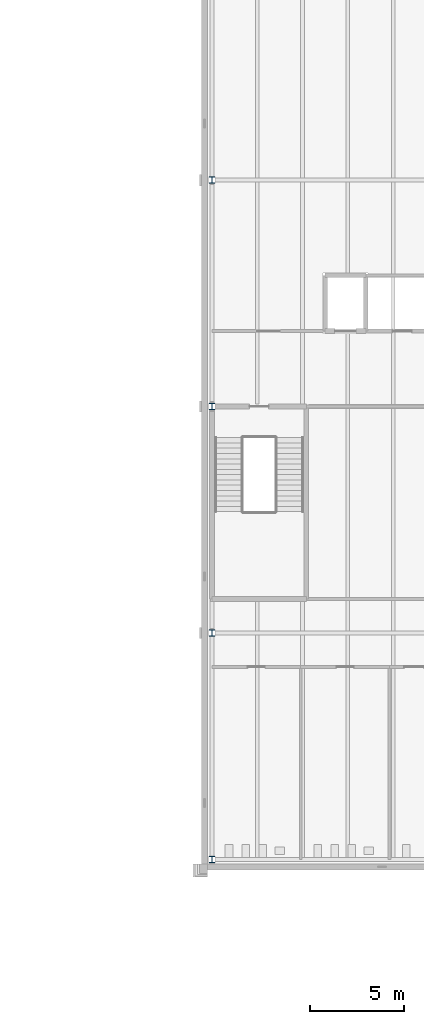
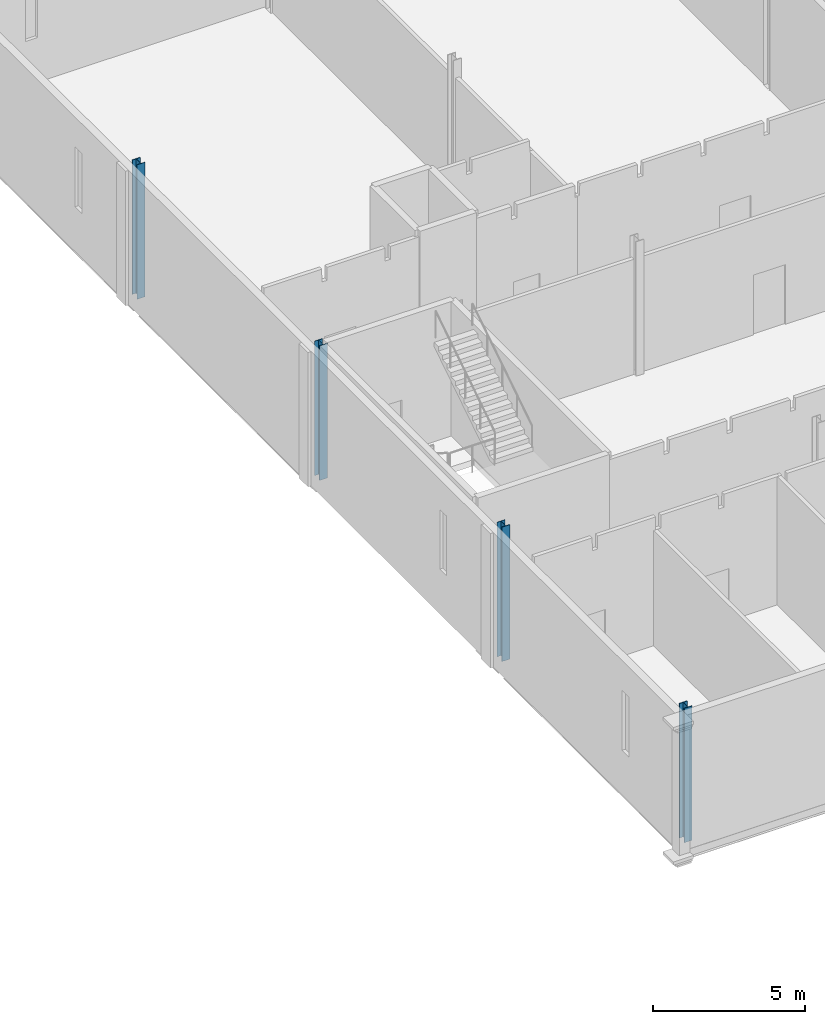
# One storey, part 8 of 170: 4 columns.
"""IFC4 building model written with IfcOpenShell, lengths in metres."""

from ifc_helpers import new_model, si_unit, direction, frame, origin, origin_2d, place, context, subcontext, project, spatial, i_section, extrude, material, material_profile, profile_set, type_object, element, save


model = new_model("IFC4")

# Units and contexts
model_context = context("Model", 3, precision=1e-05, world=origin(), true_north=direction((0.0, 1.0)))
body_context = subcontext(model_context, "Body", "Model", "MODEL_VIEW")
ifc_project = project(units=[si_unit("LENGTHUNIT", "METRE"), si_unit("AREAUNIT", "SQUARE_METRE"), si_unit("VOLUMEUNIT", "CUBIC_METRE"), si_unit("PLANEANGLEUNIT", "RADIAN"), si_unit("MASSUNIT", "GRAM", prefix="KILO")], contexts=[model_context])

# Site, building, storey
site_placement = place(None, origin())
site = spatial("IfcSite", under=ifc_project, at=site_placement, CompositionType="ELEMENT")
building_placement = place(site_placement, origin())
building = spatial("IfcBuilding", under=site, at=building_placement, Name="Ravi Spectrum Wholesale Market", CompositionType="ELEMENT")
storey_placement = place(building_placement, frame((0.0, 0.0, 5.39990234375)))
storey = spatial("IfcBuildingStorey", under=building, at=storey_placement, Name="L01", CompositionType="ELEMENT", Elevation=5.39990234375)

# Columns
ifc_material = material(Name="Steel S355", Category="steel")
ifc_material_profile = material_profile(ifc_material, i_section(OverallWidth=0.300048828125, OverallDepth=0.340087890625, WebThickness=0.011962890625, FlangeThickness=0.021484375, at=origin_2d()))
ifc_profile_set = profile_set([ifc_material_profile], Name="Steel S355")
column_type = type_object("IfcColumnType", Name="HEB 340 column", PredefinedType="COLUMN", material=ifc_profile_set)
for number, where, z_axis, x_axis, name in (
    (1, (198.0, 18.0, 0.0), (0.0, 0.0, 1.0), (1.0, 0.0, 0.0), "CS-COL-L01-001"),
    (2, (198.0, 30.0, 0.0), (0.0, 0.0, 1.0), (1.0, 0.0, 0.0), "CS-COL-L01-002"),
    (3, (198.0, 42.0, 0.0), (0.0, 0.0, 1.0), (1.0, 0.0, 0.0), "CS-COL-L01-003"),
    (4, (198.0, 54.0, 0.0), (0.0, 0.0, 1.0), (1.0, 0.0, 0.0), "CS-COL-L01-004"),
):
    element("IfcColumn", number, at=place(storey_placement, frame(where, z_axis=z_axis, x_axis=x_axis)), inside=storey, type_object=column_type, Name=name, PredefinedType="COLUMN", context=body_context, shape_type="SweptSolid", body=[
        extrude(i_section(OverallWidth=0.300048828125, OverallDepth=0.340087890625, WebThickness=0.011962890625, FlangeThickness=0.021484375, at=origin_2d()), origin(), (0.0, 0.0, 1.0), 5.400146484375),
    ])

save(model, "model.ifc")
